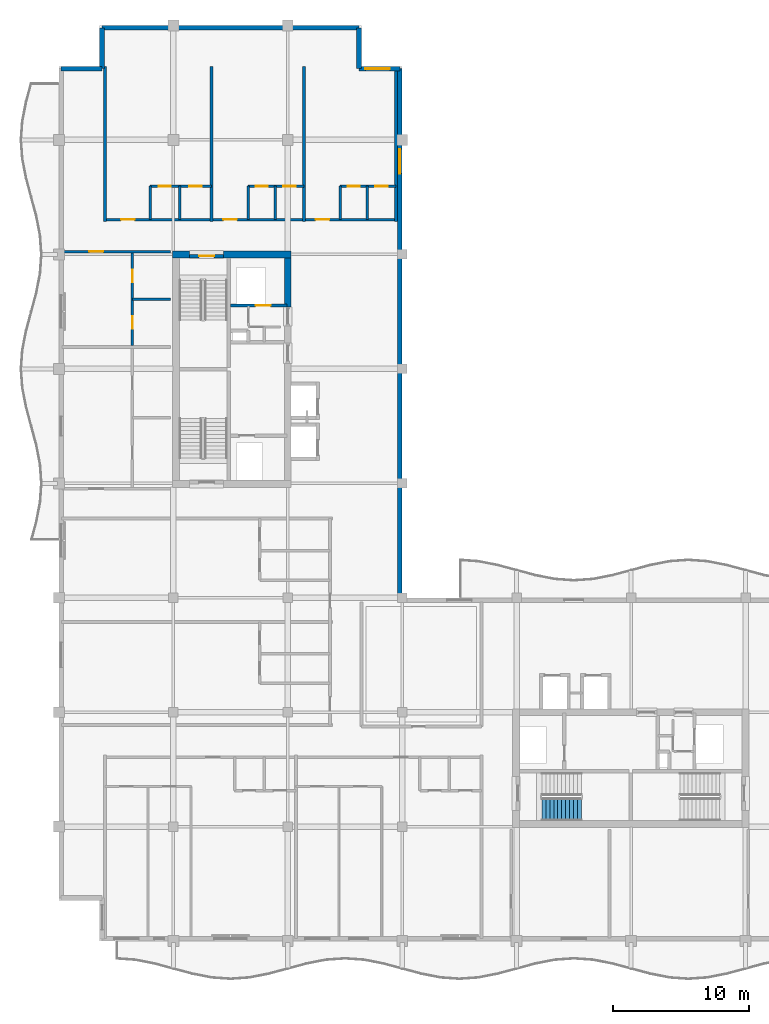
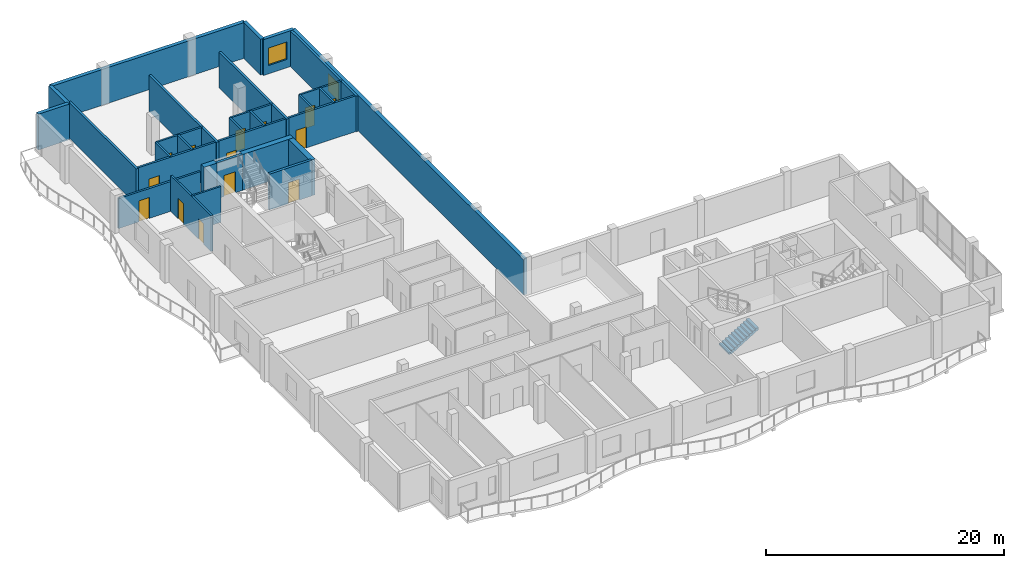
# One storey, part 10 of 15: 28 walls, 14 doors, 2 windows, 1 stair flight, 16 openings, 1 element without a shape of its own.
"""IFC4 building model written with IfcOpenShell, lengths in metres."""

import ifcopenshell
import ifcopenshell.guid

model = None  # the IFC model being written
_history = None  # IfcOwnerHistory: only IFC2X3 demands one
_inside = {}  # id of a spatial element -> (the spatial element, [elements in it])
_under = {}  # id of a project, library or spatial element -> (it, [spatial elements below it])
_declared = {}  # id of a project -> (the project, [libraries it declares])
_typed = {}  # id of a type object -> (the type object, [elements of that type])
_made_of = {}  # id of a material, layer set ... -> (it, [elements and type objects made of it])


def new_model(schema):
    """Start an empty IFC model of exactly this schema.

    Asked for "IFC4X3", IfcOpenShell would pick the latest addendum, in which some entities
    have other attributes; the version numbers below select the first issue.
    IFC2X3 requires an IfcOwnerHistory on every rooted entity: one is made here for all.
    """
    global model, _history
    if schema == "IFC4X3":
        model = ifcopenshell.file(schema_version=(4, 3, 0, 0))
    else:
        model = ifcopenshell.file(schema=schema)
    _inside.clear()
    _under.clear()
    _declared.clear()
    _typed.clear()
    _made_of.clear()
    _history = None
    if model.schema == "IFC2X3":
        org = make("IfcOrganization", Name="unknown")
        user = make(
            "IfcPersonAndOrganization",
            ThePerson=make("IfcPerson", FamilyName="unknown"),
            TheOrganization=org,
        )
        app = make(
            "IfcApplication",
            ApplicationDeveloper=org,
            Version="unknown",
            ApplicationFullName="unknown",
            ApplicationIdentifier="unknown",
        )
        _history = make(
            "IfcOwnerHistory",
            OwningUser=user,
            OwningApplication=app,
            ChangeAction="ADDED",
            CreationDate=0,
        )
    return model


def make(cls, **values):
    """One entity of the class cls with the attributes given. An attribute that is None is left unset."""
    return model.create_entity(
        cls, **{name: value for name, value in values.items() if value is not None}
    )


def rooted(cls, **values):
    """An entity with a GlobalId (a new one), such as an element, a storey or a relation."""
    return make(cls, GlobalId=ifcopenshell.guid.new(), OwnerHistory=_history, **values)


def si_unit(unit_type, name, prefix=None):
    """IfcSIUnit, for example si_unit("LENGTHUNIT", "METRE", prefix="MILLI")."""
    return make("IfcSIUnit", UnitType=unit_type, Prefix=prefix, Name=name)


def assignment(units):
    """IfcUnitAssignment: the units of a project."""
    return None if units is None else make("IfcUnitAssignment", Units=units)


def point(xyz):
    """IfcCartesianPoint."""
    return None if xyz is None else make("IfcCartesianPoint", Coordinates=xyz)


def direction(xyz):
    """IfcDirection."""
    return None if xyz is None else make("IfcDirection", DirectionRatios=xyz)


def frame(location, z_axis=None, x_axis=None):
    """IfcAxis2Placement3D, a coordinate frame: its origin and axes. An axis left out is left unset."""
    return make(
        "IfcAxis2Placement3D",
        Location=point(location),
        Axis=direction(z_axis),
        RefDirection=direction(x_axis),
    )


def frame_2d(location, x_axis=None):
    """IfcAxis2Placement2D, a coordinate frame in the plane: its origin and x axis."""
    return make(
        "IfcAxis2Placement2D", Location=point(location), RefDirection=direction(x_axis)
    )


def origin():
    """The frame at (0, 0, 0) with its axes left unset."""
    return frame((0.0, 0.0, 0.0))


def place(relative_to, where):
    """IfcLocalPlacement: puts the frame where relative to a parent placement (None: the world)."""
    return make(
        "IfcLocalPlacement", PlacementRelTo=relative_to, RelativePlacement=where
    )


def context(
    kind, dimensions, precision=None, world=None, true_north=None, identifier=None
):
    """IfcGeometricRepresentationContext, for example the 3D "Model" context."""
    return make(
        "IfcGeometricRepresentationContext",
        ContextIdentifier=identifier,
        ContextType=kind,
        CoordinateSpaceDimension=dimensions,
        Precision=precision,
        WorldCoordinateSystem=world,
        TrueNorth=true_north,
    )


def subcontext(parent, identifier, kind, view, scale=None):
    """IfcGeometricRepresentationSubContext, for example "Body" below "Model"."""
    return make(
        "IfcGeometricRepresentationSubContext",
        ContextIdentifier=identifier,
        ContextType=kind,
        ParentContext=parent,
        TargetScale=scale,
        TargetView=view,
    )


def project(units=None, contexts=None):
    """IfcProject with its units and contexts."""
    return rooted(
        "IfcProject",
        Name="project",
        RepresentationContexts=contexts,
        UnitsInContext=assignment(units),
    )


def spatial(cls, under=None, at=None, **own):
    """A site, building, storey or space (cls), placed at a placement, below another one or the project."""
    s = rooted(cls, ObjectPlacement=at, **own)
    if under is not None:
        _under.setdefault(under.id(), (under, []))[1].append(s)
    return s


def polyline(points):
    """IfcPolyline through the points."""
    return make("IfcPolyline", Points=[point(p) for p in points])


def profile(cls, at=None, kind="AREA", **sizes):
    """A parametric profile (cls). Its sizes go by their IFC names, for example OverallWidth=200.0."""
    return make(cls, ProfileType=kind, Position=at, **sizes)


def rectangle(**sizes):
    """IfcRectangleProfileDef."""
    return profile("IfcRectangleProfileDef", **sizes)


def outline(outer, holes=None, kind="AREA"):
    """IfcArbitraryClosedProfileDef: a profile drawn as a closed curve; with holes, ...WithVoids."""
    if holes is None:
        return make("IfcArbitraryClosedProfileDef", ProfileType=kind, OuterCurve=outer)
    return make(
        "IfcArbitraryProfileDefWithVoids",
        ProfileType=kind,
        OuterCurve=outer,
        InnerCurves=holes,
    )


def extrude(swept, where, along, depth):
    """IfcExtrudedAreaSolid: the profile swept, set in the frame where, extruded along a direction by depth."""
    return make(
        "IfcExtrudedAreaSolid",
        SweptArea=swept,
        Position=where,
        ExtrudedDirection=direction(along),
        Depth=depth,
    )


def shape(context_of_items, identifier, shape_type, items):
    """IfcShapeRepresentation: the items that make up one representation, for example the "Body"."""
    return make(
        "IfcShapeRepresentation",
        ContextOfItems=context_of_items,
        RepresentationIdentifier=identifier,
        RepresentationType=shape_type,
        Items=items,
    )


def material(Name=None, Category=None):
    """IfcMaterial."""
    return make("IfcMaterial", Name=Name, Category=Category)


def layer(
    of_material, thickness, ventilated=None, Name=None, Category=None, Priority=None
):
    """IfcMaterialLayer: one layer of a wall or slab, of a material (None: an air gap)."""
    return make(
        "IfcMaterialLayer",
        Material=of_material,
        LayerThickness=thickness,
        IsVentilated=ventilated,
        Name=Name,
        Category=Category,
        Priority=Priority,
    )


def layer_set(layers, Name=None):
    """IfcMaterialLayerSet."""
    return make("IfcMaterialLayerSet", MaterialLayers=layers, LayerSetName=Name)


def made_of(thing, what):
    """Note that an element or type object is made of a material, layer set ...; save() writes the relation."""
    if what is not None:
        _made_of.setdefault(what.id(), (what, []))[1].append(thing)
    return thing


def type_object(cls, material=None, **own):
    """A type object (cls), such as IfcWallType, which elements share."""
    return made_of(rooted(cls, **own), material)


def element(
    cls,
    number,
    at=None,
    inside=None,
    cuts=None,
    type_object=None,
    material=None,
    context=None,
    identifier="Body",
    shape_type=None,
    held_by="IfcProductDefinitionShape",
    body=None,
    shapes=None,
    **own,
):
    """One element of the class cls, such as IfcWall. Its Tag is "e" and its number.

    at: its placement. inside: the storey or other place that contains it. cuts: it is an
    opening in that element (IfcRelVoidsElement). A single representation is given by context,
    identifier, shape_type and body (its items); several are given by shapes. held_by: the class
    of the entity that holds the representations. save() writes the other relations.
    """
    e = rooted(cls, Tag="e%d" % number, ObjectPlacement=at, **own)
    if body is not None:
        shapes = [shape(context, identifier, shape_type, body)]
    if shapes is not None:
        e.Representation = make(held_by, Representations=shapes)
    if inside is not None:
        _inside.setdefault(inside.id(), (inside, []))[1].append(e)
    if cuts is not None:
        rooted(
            "IfcRelVoidsElement", RelatingBuildingElement=cuts, RelatedOpeningElement=e
        )
    if type_object is not None:
        _typed.setdefault(type_object.id(), (type_object, []))[1].append(e)
    return made_of(e, material)


def fill(opening, filler):
    """IfcRelFillsElement: the door or window that sits in an opening."""
    return rooted(
        "IfcRelFillsElement",
        RelatingOpeningElement=opening,
        RelatedBuildingElement=filler,
    )


def aggregate(whole, parts):
    """IfcRelAggregates: a whole, such as a stair, and the parts it consists of."""
    return rooted("IfcRelAggregates", RelatingObject=whole, RelatedObjects=parts)


def save(model, path):
    """Write the relations noted so far, then the file.

    IfcRelAggregates (storeys below a building ...), IfcRelContainedInSpatialStructure (elements
    in a storey), IfcRelDefinesByType, IfcRelAssociatesMaterial and IfcRelDeclares: one each for
    every whole, place, type object, material and project.
    """
    for whole, parts in _under.values():
        aggregate(whole, parts)
    for where, things in _inside.values():
        rooted(
            "IfcRelContainedInSpatialStructure",
            RelatedElements=things,
            RelatingStructure=where,
        )
    for kind, things in _typed.values():
        rooted("IfcRelDefinesByType", RelatedObjects=things, RelatingType=kind)
    for what, things in _made_of.values():
        rooted("IfcRelAssociatesMaterial", RelatedObjects=things, RelatingMaterial=what)
    for by, libraries in _declared.values():
        rooted("IfcRelDeclares", RelatingContext=by, RelatedDefinitions=libraries)
    model.write(path)


model = new_model("IFC4")

# Units and contexts
model_context = context("Model", 3, precision=1e-05, world=origin(), true_north=direction((0.0, 1.0)))
body_context = subcontext(model_context, "Body", "Model", "MODEL_VIEW")
ifc_project = project(units=[si_unit("LENGTHUNIT", "METRE"), si_unit("AREAUNIT", "SQUARE_METRE"), si_unit("VOLUMEUNIT", "CUBIC_METRE"), si_unit("PLANEANGLEUNIT", "RADIAN"), si_unit("MASSUNIT", "GRAM", prefix="KILO")], contexts=[model_context])

# Site, building, storey
site_placement = place(None, origin())
site = spatial("IfcSite", under=ifc_project, at=site_placement, CompositionType="ELEMENT")
building_placement = place(site_placement, origin())
building = spatial("IfcBuilding", under=site, at=building_placement, Name="Koriwani Terraces Tower", CompositionType="ELEMENT")
storey_placement = place(building_placement, frame((0.0, 0.0, 324.199951171875)))
storey = spatial("IfcBuildingStorey", under=building, at=storey_placement, Name="L80", CompositionType="ELEMENT", Elevation=324.199951171875)

# Walls
ifc_material_1 = material(Name="Concrete C50/60", Category="concrete")
ifc_layer_1 = layer(ifc_material_1, 0.5, Name="Concrete C50/60")
ifc_layer_set_1 = layer_set([ifc_layer_1], Name="Concrete C50/60")
wall_type_1 = type_object("IfcWallType", Name="WALL_CORE_RC_500", PredefinedType="SHEAR", material=ifc_layer_set_1)
wall_1_placement = place(storey_placement, frame((16.75, 58.800048828125, 0.0), z_axis=(0.0, 0.0, 1.0), x_axis=(1.0, 0.0, 0.0)))
element("IfcWall", 1, at=wall_1_placement, inside=storey, type_object=wall_type_1, Name="L80 West Split Core Shear Wall N1", PredefinedType="SHEAR", context=body_context, shape_type="SweptSolid", body=[
    extrude(rectangle(XDim=1.25, YDim=0.5, at=frame_2d((0.625, 0.0))), origin(), (0.0, 0.0, 1.0), 3.670166015625),
])
wall_2_placement = place(storey_placement, frame((20.5, 58.800048828125, 0.0), z_axis=(0.0, 0.0, 1.0), x_axis=(1.0, 0.0, 0.0)))
element("IfcWall", 2, at=wall_2_placement, inside=storey, type_object=wall_type_1, Name="L80 West Split Core Shear Wall N2", PredefinedType="SHEAR", context=body_context, shape_type="SweptSolid", body=[
    extrude(rectangle(XDim=4.949951171875, YDim=0.5, at=frame_2d((2.47509765625, 0.0))), origin(), (0.0, 0.0, 1.0), 3.670166015625),
])
wall_3_placement = place(storey_placement, frame((25.199951171875, 54.949951171875, 0.0), z_axis=(0.0, 0.0, 1.0), x_axis=(0.0, 1.0, 0.0)))
element("IfcWall", 3, at=wall_3_placement, inside=storey, type_object=wall_type_1, Name="L80 West Split Core Shear Wall E3", PredefinedType="SHEAR", context=body_context, shape_type="SweptSolid", body=[
    extrude(rectangle(XDim=3.60009765625, YDim=0.5, at=frame_2d((1.800048828125, 0.0))), origin(), (0.0, 0.0, 1.0), 3.670166015625),
])

# Wall, opening, door
ifc_material_2 = material(Name="Autoclaved Cellular Concrete Blockwork", Category="masonry")
ifc_layer_2 = layer(ifc_material_2, 0.199951171875, Name="Autoclaved Cellular Concrete Blockwork")
ifc_layer_set_2 = layer_set([ifc_layer_2], Name="Autoclaved Cellular Concrete Blockwork")
wall_type_2 = type_object("IfcWallType", Name="WALL_CORRIDOR_200", PredefinedType="PARTITIONING", material=ifc_layer_set_2)
wall_4_placement = place(storey_placement, frame((8.64990234375, 59.0, 0.0), z_axis=(0.0, 0.0, 1.0), x_axis=(1.0, 0.0, 0.0)))
wall_4 = element("IfcWall", 4, at=wall_4_placement, inside=storey, type_object=wall_type_2, Name="L80 Interior Wall WRZ4-WN-L80", PredefinedType="PARTITIONING", context=body_context, shape_type="SweptSolid", body=[
    extrude(rectangle(XDim=7.9501953125, YDim=0.199951171875, at=frame_2d((3.97509765625, 0.0))), origin(), (0.0, 0.0, 1.0), 3.070068359375),
])
opening_1_placement = place(wall_4_placement, frame((2.0, 0.0, 0.0)))
opening_1 = element("IfcOpeningElement", 5, at=opening_1_placement, cuts=wall_4, Name="Opening D-05", PredefinedType="OPENING", context=body_context, shape_type="SweptSolid", body=[
    extrude(rectangle(XDim=1.0, YDim=2.14990234375, at=frame_2d((0.5, 1.074951171875))), frame((0.0, 0.10986328125, 0.0), z_axis=(0.0, -1.0, 0.0), x_axis=(1.0, 0.0, 0.0)), (0.0, 0.0, 1.0), 0.219970703125),
])
ifc_material_3 = material(Name="Architectural Oak Fire Door", Category="wood")
door_type_1 = type_object("IfcDoorType", Name="DOOR_SUITE_ENTRY_1000X2150", OperationType="NOTDEFINED", PredefinedType="DOOR", material=ifc_material_3)
door_1_placement = place(opening_1_placement, origin())
door_1 = element("IfcDoor", 6, at=door_1_placement, inside=storey, type_object=door_type_1, Name="Apartment 80RW2 Entrance Door", OperationType="SINGLE_SWING_RIGHT", OverallHeight=2.14990234375, OverallWidth=1.0, PredefinedType="DOOR", context=body_context, shape_type="SweptSolid", body=[
    extrude(rectangle(XDim=1.0, YDim=2.14990234375, at=frame_2d((0.5, 1.074951171875))), frame((0.0, 0.02490234375, 0.0), z_axis=(0.0, -1.0, 0.0), x_axis=(1.0, 0.0, 0.0)), (0.0, 0.0, 1.0), 0.050048828125),
])
fill(opening_1, door_1)

# Wall, openings, doors
wall_5_placement = place(storey_placement, frame((11.800048828125, 61.35009765625, 0.0), z_axis=(0.0, 0.0, 1.0), x_axis=(1.0, 0.0, 0.0)))
wall_5 = element("IfcWall", 7, at=wall_5_placement, inside=storey, type_object=wall_type_2, Name="L80 Interior Wall WRCOR-L80-NTS-0", PredefinedType="PARTITIONING", context=body_context, shape_type="SweptSolid", body=[
    extrude(rectangle(XDim=21.349853515625, YDim=0.199951171875, at=frame_2d((10.6748046875, 0.0))), origin(), (0.0, 0.0, 1.0), 3.670166015625),
])
opening_2_placement = place(wall_5_placement, frame((1.169921875, 0.0, 0.0)))
opening_2 = element("IfcOpeningElement", 8, at=opening_2_placement, cuts=wall_5, Name="Opening D-05", PredefinedType="OPENING", context=body_context, shape_type="SweptSolid", body=[
    extrude(rectangle(XDim=1.0, YDim=2.14990234375, at=frame_2d((0.5, 1.074951171875))), frame((0.0, 0.10986328125, 0.0), z_axis=(0.0, -1.0, 0.0), x_axis=(1.0, 0.0, 0.0)), (0.0, 0.0, 1.0), 0.219970703125),
])
opening_3_placement = place(wall_5_placement, frame((8.669921875, 0.0, 0.0)))
opening_3 = element("IfcOpeningElement", 9, at=opening_3_placement, cuts=wall_5, Name="Opening D-05", PredefinedType="OPENING", context=body_context, shape_type="SweptSolid", body=[
    extrude(rectangle(XDim=1.0, YDim=2.14990234375, at=frame_2d((0.5, 1.074951171875))), frame((0.0, 0.10986328125, 0.0), z_axis=(0.0, -1.0, 0.0), x_axis=(1.0, 0.0, 0.0)), (0.0, 0.0, 1.0), 0.219970703125),
])
opening_4_placement = place(wall_5_placement, frame((15.445068359375, 0.0, 0.0)))
opening_4 = element("IfcOpeningElement", 10, at=opening_4_placement, cuts=wall_5, Name="Opening D-05", PredefinedType="OPENING", context=body_context, shape_type="SweptSolid", body=[
    extrude(rectangle(XDim=1.0, YDim=2.14990234375, at=frame_2d((0.5, 1.074951171875))), frame((0.0, 0.10986328125, 0.0), z_axis=(0.0, -1.0, 0.0), x_axis=(1.0, 0.0, 0.0)), (0.0, 0.0, 1.0), 0.219970703125),
])
door_2_placement = place(opening_2_placement, origin())
door_2 = element("IfcDoor", 11, at=door_2_placement, inside=storey, type_object=door_type_1, Name="Apartment 80NTS1 Entrance Door", OperationType="SINGLE_SWING_LEFT", OverallHeight=2.14990234375, OverallWidth=1.0, PredefinedType="DOOR", context=body_context, shape_type="SweptSolid", body=[
    extrude(rectangle(XDim=1.0, YDim=2.14990234375, at=frame_2d((0.5, 1.074951171875))), frame((0.0, 0.02490234375, 0.0), z_axis=(0.0, -1.0, 0.0), x_axis=(1.0, 0.0, 0.0)), (0.0, 0.0, 1.0), 0.050048828125),
])
fill(opening_2, door_2)
door_3_placement = place(opening_3_placement, origin())
door_3 = element("IfcDoor", 12, at=door_3_placement, inside=storey, type_object=door_type_1, Name="Apartment 80NTS2 Entrance Door", OperationType="SINGLE_SWING_RIGHT", OverallHeight=2.14990234375, OverallWidth=1.0, PredefinedType="DOOR", context=body_context, shape_type="SweptSolid", body=[
    extrude(rectangle(XDim=1.0, YDim=2.14990234375, at=frame_2d((0.5, 1.074951171875))), frame((0.0, 0.02490234375, 0.0), z_axis=(0.0, -1.0, 0.0), x_axis=(1.0, 0.0, 0.0)), (0.0, 0.0, 1.0), 0.050048828125),
])
fill(opening_3, door_3)
door_4_placement = place(opening_4_placement, origin())
door_4 = element("IfcDoor", 13, at=door_4_placement, inside=storey, type_object=door_type_1, Name="Apartment 80NTS3 Entrance Door", OperationType="SINGLE_SWING_LEFT", OverallHeight=2.14990234375, OverallWidth=1.0, PredefinedType="DOOR", context=body_context, shape_type="SweptSolid", body=[
    extrude(rectangle(XDim=1.0, YDim=2.14990234375, at=frame_2d((0.5, 1.074951171875))), frame((0.0, 0.02490234375, 0.0), z_axis=(0.0, -1.0, 0.0), x_axis=(1.0, 0.0, 0.0)), (0.0, 0.0, 1.0), 0.050048828125),
])
fill(opening_4, door_4)

# Walls
ifc_layer_3 = layer(ifc_material_2, 0.219970703125, Name="Autoclaved Cellular Concrete Blockwork")
ifc_layer_set_3 = layer_set([ifc_layer_3], Name="Autoclaved Cellular Concrete Blockwork")
wall_type_3 = type_object("IfcWallType", Name="WALL_DEMISING_220", PredefinedType="PARTITIONING", material=ifc_layer_set_3)
for number, where, z_axis, x_axis, name in (
    (14, (11.800048828125, 61.199951171875, 0.0), (0.0, 0.0, 1.0), (0.0, 1.0, 0.0), "L80 Interior Wall WRDEM-L80-NTS-0"),
    (15, (19.60009765625, 61.199951171875, 0.0), (0.0, 0.0, 1.0), (0.0, 1.0, 0.0), "L80 Interior Wall WRDEM-L80-NTS-1"),
    (16, (26.39990234375, 61.199951171875, 0.0), (0.0, 0.0, 1.0), (0.0, 1.0, 0.0), "L80 Interior Wall WRDEM-L80-NTS-2"),
    (17, (33.14990234375, 61.199951171875, 0.0), (0.0, 0.0, 1.0), (0.0, 1.0, 0.0), "L80 Interior Wall WRDEME-L80-NTS"),
):
    element("IfcWall", number, at=place(storey_placement, frame(where, z_axis=z_axis, x_axis=x_axis)), inside=storey, type_object=wall_type_3, Name=name, PredefinedType="PARTITIONING", context=body_context, shape_type="SweptSolid", body=[
        extrude(rectangle(XDim=11.380126953125, YDim=0.219970703125, at=frame_2d((5.68994140625, 0.0))), origin(), (0.0, 0.0, 1.0), 3.670166015625),
    ])
ifc_layer_4 = layer(ifc_material_1, 0.35009765625, Name="Concrete C50/60")
ifc_layer_set_4 = layer_set([ifc_layer_4], Name="Concrete C50/60")
wall_type_4 = type_object("IfcWallType", Name="WALL_EXT_BRUTALIST_350", PredefinedType="STANDARD", material=ifc_layer_set_4)
for number, where, z_axis, x_axis, name in (
    (18, (8.574951171875, 72.425048828125, 0.0), (0.0, 0.0, 1.0), (1.0, 0.0, 0.0), "L80 Fair-Faced Brutalist Exterior Wall (N3)"),
    (19, (11.574951171875, 72.425048828125, 0.0), (0.0, 0.0, 1.0), (0.0, 1.0, 0.0), "L80 Fair-Faced Brutalist Exterior Wall (N4)"),
):
    element("IfcWall", number, at=place(storey_placement, frame(where, z_axis=z_axis, x_axis=x_axis)), inside=storey, type_object=wall_type_4, Name=name, PredefinedType="STANDARD", context=body_context, shape_type="SweptSolid", body=[
        extrude(rectangle(XDim=3.0, YDim=0.35009765625, at=frame_2d((1.5, 0.0))), origin(), (0.0, 0.0, 1.0), 3.670166015625),
    ])
wall_6_placement = place(storey_placement, frame((11.574951171875, 75.425048828125, 0.0), z_axis=(0.0, 0.0, 1.0), x_axis=(1.0, 0.0, 0.0)))
element("IfcWall", 20, at=wall_6_placement, inside=storey, type_object=wall_type_4, Name="L80 Fair-Faced Brutalist Exterior Wall (N_TIP)", PredefinedType="STANDARD", context=body_context, shape_type="SweptSolid", body=[
    extrude(rectangle(XDim=18.85009765625, YDim=0.35009765625, at=frame_2d((9.425048828125, 0.0))), origin(), (0.0, 0.0, 1.0), 3.670166015625),
])
wall_7_placement = place(storey_placement, frame((30.425048828125, 75.425048828125, 0.0), z_axis=(0.0, 0.0, 1.0), x_axis=(0.0, -1.0, 0.0)))
element("IfcWall", 21, at=wall_7_placement, inside=storey, type_object=wall_type_4, Name="L80 Fair-Faced Brutalist Exterior Wall (N6)", PredefinedType="STANDARD", context=body_context, shape_type="SweptSolid", body=[
    extrude(rectangle(XDim=3.0, YDim=0.35009765625, at=frame_2d((1.5, 0.0))), origin(), (0.0, 0.0, 1.0), 3.670166015625),
])

# Wall, opening, window
wall_8_placement = place(storey_placement, frame((30.425048828125, 72.425048828125, 0.0), z_axis=(0.0, 0.0, 1.0), x_axis=(1.0, 0.0, 0.0)))
wall_8 = element("IfcWall", 22, at=wall_8_placement, inside=storey, type_object=wall_type_4, Name="L80 Fair-Faced Brutalist Exterior Wall (N7)", PredefinedType="STANDARD", context=body_context, shape_type="SweptSolid", body=[
    extrude(rectangle(XDim=3.0, YDim=0.35009765625, at=frame_2d((1.5, 0.0))), origin(), (0.0, 0.0, 1.0), 3.670166015625),
])
opening_5_placement = place(wall_8_placement, frame((0.472412109375, 0.0, 0.85009765625)))
opening_5 = element("IfcOpeningElement", 23, at=opening_5_placement, cuts=wall_8, Name="Opening W-04", PredefinedType="OPENING", context=body_context, shape_type="SweptSolid", body=[
    extrude(rectangle(XDim=1.800048828125, YDim=1.800048828125, at=frame_2d((0.89990234375, 0.89990234375))), frame((0.0, 0.18505859375, 0.0), z_axis=(0.0, -1.0, 0.0), x_axis=(1.0, 0.0, 0.0)), (0.0, 0.0, 1.0), 0.3701171875),
])
ifc_material_4 = material(Name="Tempered Laminated Low-E Glass", Category="glass")
window_type = type_object("IfcWindowType", Name="WIN_RES_BED_1800X1800", PartitioningType="DOUBLE_PANEL_VERTICAL", PredefinedType="WINDOW", material=ifc_material_4)
window_1_placement = place(opening_5_placement, origin())
window_1 = element("IfcWindow", 24, at=window_1_placement, inside=storey, type_object=window_type, Name="L80 Exterior Window (N7-R55)", OverallHeight=1.800048828125, OverallWidth=1.800048828125, PartitioningType="SINGLE_PANEL", PredefinedType="WINDOW", context=body_context, shape_type="SweptSolid", body=[
    extrude(rectangle(XDim=1.800048828125, YDim=1.800048828125, at=frame_2d((0.89990234375, 0.89990234375))), frame((0.0, 0.030029296875, 0.0), z_axis=(0.0, -1.0, 0.0), x_axis=(1.0, 0.0, 0.0)), (0.0, 0.0, 1.0), 0.06005859375),
])
fill(opening_5, window_1)

wall_9_placement = place(storey_placement, frame((33.425048828125, 72.425048828125, 0.0), z_axis=(0.0, 0.0, 1.0), x_axis=(0.0, -1.0, 0.0)))
wall_9 = element("IfcWall", 25, at=wall_9_placement, inside=storey, type_object=wall_type_4, Name="L80 Fair-Faced Brutalist Exterior Wall (NW_IN)", PredefinedType="STANDARD", context=body_context, shape_type="SweptSolid", body=[
    extrude(rectangle(XDim=39.0, YDim=0.35009765625, at=frame_2d((19.5, 0.0))), origin(), (0.0, 0.0, 1.0), 3.670166015625),
])
opening_6_placement = place(wall_9_placement, frame((5.89990234375, 0.0, 0.85009765625)))
opening_6 = element("IfcOpeningElement", 26, at=opening_6_placement, cuts=wall_9, Name="Opening W-04", PredefinedType="OPENING", context=body_context, shape_type="SweptSolid", body=[
    extrude(rectangle(XDim=1.800048828125, YDim=1.800048828125, at=frame_2d((0.89990234375, 0.89990234375))), frame((0.0, 0.18505859375, 0.0), z_axis=(0.0, -1.0, 0.0), x_axis=(1.0, 0.0, 0.0)), (0.0, 0.0, 1.0), 0.3701171875),
])
window_2_placement = place(opening_6_placement, origin())
window_2 = element("IfcWindow", 27, at=window_2_placement, inside=storey, type_object=window_type, Name="L80 Exterior Window (NW_IN-R55)", OverallHeight=1.800048828125, OverallWidth=1.800048828125, PartitioningType="SINGLE_PANEL", PredefinedType="WINDOW", context=body_context, shape_type="SweptSolid", body=[
    extrude(rectangle(XDim=1.800048828125, YDim=1.800048828125, at=frame_2d((0.89990234375, 0.89990234375))), frame((0.0, 0.030029296875, 0.0), z_axis=(0.0, -1.0, 0.0), x_axis=(1.0, 0.0, 0.0)), (0.0, 0.0, 1.0), 0.06005859375),
])
fill(opening_6, window_2)

# Wall, openings, doors
ifc_material_5 = material(Name="Fire-Rated Acoustic Gypsum Partition", Category="masonry")
ifc_layer_5 = layer(ifc_material_5, 0.179931640625, Name="Fire-Rated Acoustic Gypsum Partition")
ifc_layer_set_5 = layer_set([ifc_layer_5], Name="Fire-Rated Acoustic Gypsum Partition")
wall_type_5 = type_object("IfcWallType", Name="WALL_PLUMBING_180", PredefinedType="PLUMBINGWALL", material=ifc_layer_set_5)
wall_10_placement = place(storey_placement, frame((13.800048828125, 52.10009765625, 0.0), z_axis=(0.0, 0.0, 1.0), x_axis=(0.0, 1.0, 0.0)))
wall_10 = element("IfcWall", 28, at=wall_10_placement, inside=storey, type_object=wall_type_5, Name="L80 Interior Wall WRZ4-RW2-PB-L80", PredefinedType="PLUMBINGWALL", context=body_context, shape_type="SweptSolid", body=[
    extrude(rectangle(XDim=6.7998046875, YDim=0.179931640625, at=frame_2d((3.39990234375, 0.0))), origin(), (0.0, 0.0, 1.0), 3.670166015625),
])
opening_7_placement = place(wall_10_placement, frame((1.25, 0.0, 0.0)))
opening_7 = element("IfcOpeningElement", 29, at=opening_7_placement, cuts=wall_10, Name="Opening D-07", PredefinedType="OPENING", context=body_context, shape_type="SweptSolid", body=[
    extrude(rectangle(XDim=0.89990234375, YDim=2.10009765625, at=frame_2d((0.449951171875, 1.050048828125))), frame((0.0, 0.10009765625, 0.0), z_axis=(0.0, -1.0, 0.0), x_axis=(1.0, 0.0, 0.0)), (0.0, 0.0, 1.0), 0.199951171875),
])
opening_8_placement = place(wall_10_placement, frame((4.639892578125, 0.0, 0.0)))
opening_8 = element("IfcOpeningElement", 30, at=opening_8_placement, cuts=wall_10, Name="Opening D-06", PredefinedType="OPENING", context=body_context, shape_type="SweptSolid", body=[
    extrude(rectangle(XDim=0.919921875, YDim=2.10009765625, at=frame_2d((0.4599609375, 1.050048828125))), frame((0.0, 0.10009765625, 0.0), z_axis=(0.0, -1.0, 0.0), x_axis=(1.0, 0.0, 0.0)), (0.0, 0.0, 1.0), 0.199951171875),
])
door_type_2 = type_object("IfcDoorType", Name="DOOR_BATH_INT_900X2100", OperationType="NOTDEFINED", PredefinedType="DOOR", material=ifc_material_3)
door_5_placement = place(opening_7_placement, origin())
door_5 = element("IfcDoor", 31, at=door_5_placement, inside=storey, type_object=door_type_2, Name="Apartment 80RW2 Bathroom Door", OperationType="SINGLE_SWING_LEFT", OverallHeight=2.10009765625, OverallWidth=0.89990234375, PredefinedType="DOOR", context=body_context, shape_type="SweptSolid", body=[
    extrude(rectangle(XDim=0.89990234375, YDim=2.10009765625, at=frame_2d((0.449951171875, 1.050048828125))), frame((0.0, 0.02490234375, 0.0), z_axis=(0.0, -1.0, 0.0), x_axis=(1.0, 0.0, 0.0)), (0.0, 0.0, 1.0), 0.050048828125),
])
fill(opening_7, door_5)
door_type_3 = type_object("IfcDoorType", Name="DOOR_ROOM_INT_920X2100", OperationType="NOTDEFINED", PredefinedType="DOOR", material=ifc_material_3)
door_6_placement = place(opening_8_placement, origin())
door_6 = element("IfcDoor", 32, at=door_6_placement, inside=storey, type_object=door_type_3, Name="Apartment 80RW2 Kitchen Door", OperationType="SINGLE_SWING_RIGHT", OverallHeight=2.10009765625, OverallWidth=0.919921875, PredefinedType="DOOR", context=body_context, shape_type="SweptSolid", body=[
    extrude(rectangle(XDim=0.919921875, YDim=2.10009765625, at=frame_2d((0.4599609375, 1.050048828125))), frame((0.0, 0.02490234375, 0.0), z_axis=(0.0, -1.0, 0.0), x_axis=(1.0, 0.0, 0.0)), (0.0, 0.0, 1.0), 0.050048828125),
])
fill(opening_8, door_6)

# Wall
wall_11_placement = place(storey_placement, frame((13.800048828125, 55.5, 0.0), z_axis=(0.0, 0.0, 1.0), x_axis=(1.0, 0.0, 0.0)))
element("IfcWall", 33, at=wall_11_placement, inside=storey, type_object=wall_type_5, Name="L80 Interior Wall WRZ4-RW2-P2-L80", PredefinedType="PLUMBINGWALL", context=body_context, shape_type="SweptSolid", body=[
    extrude(rectangle(XDim=2.800048828125, YDim=0.179931640625, at=frame_2d((1.39990234375, 0.0))), origin(), (0.0, 0.0, 1.0), 3.670166015625),
])

# Wall, openings, doors
wall_12_placement = place(storey_placement, frame((15.10009765625, 63.800048828125, 0.0), z_axis=(0.0, 0.0, 1.0), x_axis=(1.0, 0.0, 0.0)))
wall_12 = element("IfcWall", 34, at=wall_12_placement, inside=storey, type_object=wall_type_5, Name="L80 Interior Wall WRSVC-L80-NTS-0", PredefinedType="PLUMBINGWALL", context=body_context, shape_type="SweptSolid", body=[
    extrude(rectangle(XDim=4.5, YDim=0.179931640625, at=frame_2d((2.25, 0.0))), origin(), (0.0, 0.0, 1.0), 3.670166015625),
])
opening_9_placement = place(wall_12_placement, frame((0.6298828125, 0.0, 0.0)))
opening_9 = element("IfcOpeningElement", 35, at=opening_9_placement, cuts=wall_12, Name="Opening D-07", PredefinedType="OPENING", context=body_context, shape_type="SweptSolid", body=[
    extrude(rectangle(XDim=0.89990234375, YDim=2.10009765625, at=frame_2d((0.449951171875, 1.050048828125))), frame((0.0, 0.10009765625, 0.0), z_axis=(0.0, -1.0, 0.0), x_axis=(1.0, 0.0, 0.0)), (0.0, 0.0, 1.0), 0.199951171875),
])
opening_10_placement = place(wall_12_placement, frame((2.8701171875, 0.0, 0.0)))
opening_10 = element("IfcOpeningElement", 36, at=opening_10_placement, cuts=wall_12, Name="Opening D-06", PredefinedType="OPENING", context=body_context, shape_type="SweptSolid", body=[
    extrude(rectangle(XDim=0.919921875, YDim=2.10009765625, at=frame_2d((0.4599609375, 1.050048828125))), frame((0.0, 0.10009765625, 0.0), z_axis=(0.0, -1.0, 0.0), x_axis=(1.0, 0.0, 0.0)), (0.0, 0.0, 1.0), 0.199951171875),
])
door_7_placement = place(opening_9_placement, origin())
door_7 = element("IfcDoor", 37, at=door_7_placement, inside=storey, type_object=door_type_2, Name="Apartment 80NTS1 Bathroom Door", OperationType="SINGLE_SWING_RIGHT", OverallHeight=2.10009765625, OverallWidth=0.89990234375, PredefinedType="DOOR", context=body_context, shape_type="SweptSolid", body=[
    extrude(rectangle(XDim=0.89990234375, YDim=2.10009765625, at=frame_2d((0.449951171875, 1.050048828125))), frame((0.0, 0.02490234375, 0.0), z_axis=(0.0, -1.0, 0.0), x_axis=(1.0, 0.0, 0.0)), (0.0, 0.0, 1.0), 0.050048828125),
])
fill(opening_9, door_7)
door_8_placement = place(opening_10_placement, origin())
door_8 = element("IfcDoor", 38, at=door_8_placement, inside=storey, type_object=door_type_3, Name="Apartment 80NTS1 Kitchen Door", OperationType="SINGLE_SWING_LEFT", OverallHeight=2.10009765625, OverallWidth=0.919921875, PredefinedType="DOOR", context=body_context, shape_type="SweptSolid", body=[
    extrude(rectangle(XDim=0.919921875, YDim=2.10009765625, at=frame_2d((0.4599609375, 1.050048828125))), frame((0.0, 0.02490234375, 0.0), z_axis=(0.0, -1.0, 0.0), x_axis=(1.0, 0.0, 0.0)), (0.0, 0.0, 1.0), 0.050048828125),
])
fill(opening_10, door_8)

# Walls
for number, where, z_axis, x_axis, name in (
    (39, (15.10009765625, 61.35009765625, 0.0), (0.0, 0.0, 1.0), (0.0, 1.0, 0.0), "L80 Interior Wall WRSVCS-L80-NTS-0"),
    (40, (17.260009765625, 61.35009765625, 0.0), (0.0, 0.0, 1.0), (0.0, 1.0, 0.0), "L80 Interior Wall WRSVCM-L80-NTS-0"),
):
    element("IfcWall", number, at=place(storey_placement, frame(where, z_axis=z_axis, x_axis=x_axis)), inside=storey, type_object=wall_type_5, Name=name, PredefinedType="PLUMBINGWALL", context=body_context, shape_type="SweptSolid", body=[
        extrude(rectangle(XDim=2.449951171875, YDim=0.179931640625, at=frame_2d((1.22509765625, 0.0))), origin(), (0.0, 0.0, 1.0), 3.670166015625),
    ])

# Wall, openings, doors
wall_13_placement = place(storey_placement, frame((22.300048828125, 63.800048828125, 0.0), z_axis=(0.0, 0.0, 1.0), x_axis=(1.0, 0.0, 0.0)))
wall_13 = element("IfcWall", 41, at=wall_13_placement, inside=storey, type_object=wall_type_5, Name="L80 Interior Wall WRSVC-L80-NTS-1", PredefinedType="PLUMBINGWALL", context=body_context, shape_type="SweptSolid", body=[
    extrude(rectangle(XDim=4.099853515625, YDim=0.179931640625, at=frame_2d((2.0498046875, 0.0))), origin(), (0.0, 0.0, 1.0), 3.670166015625),
])
opening_11_placement = place(wall_13_placement, frame((0.533935546875, 0.0, 0.0)))
opening_11 = element("IfcOpeningElement", 42, at=opening_11_placement, cuts=wall_13, Name="Opening D-07", PredefinedType="OPENING", context=body_context, shape_type="SweptSolid", body=[
    extrude(rectangle(XDim=0.89990234375, YDim=2.10009765625, at=frame_2d((0.449951171875, 1.050048828125))), frame((0.0, 0.10009765625, 0.0), z_axis=(0.0, -1.0, 0.0), x_axis=(1.0, 0.0, 0.0)), (0.0, 0.0, 1.0), 0.199951171875),
])
opening_12_placement = place(wall_13_placement, frame((2.573974609375, 0.0, 0.0)))
opening_12 = element("IfcOpeningElement", 43, at=opening_12_placement, cuts=wall_13, Name="Opening D-06", PredefinedType="OPENING", context=body_context, shape_type="SweptSolid", body=[
    extrude(rectangle(XDim=0.919921875, YDim=2.10009765625, at=frame_2d((0.4599609375, 1.050048828125))), frame((0.0, 0.10009765625, 0.0), z_axis=(0.0, -1.0, 0.0), x_axis=(1.0, 0.0, 0.0)), (0.0, 0.0, 1.0), 0.199951171875),
])
door_9_placement = place(opening_11_placement, origin())
door_9 = element("IfcDoor", 44, at=door_9_placement, inside=storey, type_object=door_type_2, Name="Apartment 80NTS2 Bathroom Door", OperationType="SINGLE_SWING_LEFT", OverallHeight=2.10009765625, OverallWidth=0.89990234375, PredefinedType="DOOR", context=body_context, shape_type="SweptSolid", body=[
    extrude(rectangle(XDim=0.89990234375, YDim=2.10009765625, at=frame_2d((0.449951171875, 1.050048828125))), frame((0.0, 0.02490234375, 0.0), z_axis=(0.0, -1.0, 0.0), x_axis=(1.0, 0.0, 0.0)), (0.0, 0.0, 1.0), 0.050048828125),
])
fill(opening_11, door_9)
door_10_placement = place(opening_12_placement, origin())
door_10 = element("IfcDoor", 45, at=door_10_placement, inside=storey, type_object=door_type_3, Name="Apartment 80NTS2 Kitchen Door", OperationType="SINGLE_SWING_RIGHT", OverallHeight=2.10009765625, OverallWidth=0.919921875, PredefinedType="DOOR", context=body_context, shape_type="SweptSolid", body=[
    extrude(rectangle(XDim=0.919921875, YDim=2.10009765625, at=frame_2d((0.4599609375, 1.050048828125))), frame((0.0, 0.02490234375, 0.0), z_axis=(0.0, -1.0, 0.0), x_axis=(1.0, 0.0, 0.0)), (0.0, 0.0, 1.0), 0.050048828125),
])
fill(opening_12, door_10)

# Walls
for number, where, z_axis, x_axis, name in (
    (46, (22.300048828125, 61.35009765625, 0.0), (0.0, 0.0, 1.0), (0.0, 1.0, 0.0), "L80 Interior Wall WRSVCS-L80-NTS-1"),
    (47, (24.26806640625, 61.35009765625, 0.0), (0.0, 0.0, 1.0), (0.0, 1.0, 0.0), "L80 Interior Wall WRSVCM-L80-NTS-1"),
):
    element("IfcWall", number, at=place(storey_placement, frame(where, z_axis=z_axis, x_axis=x_axis)), inside=storey, type_object=wall_type_5, Name=name, PredefinedType="PLUMBINGWALL", context=body_context, shape_type="SweptSolid", body=[
        extrude(rectangle(XDim=2.449951171875, YDim=0.179931640625, at=frame_2d((1.22509765625, 0.0))), origin(), (0.0, 0.0, 1.0), 3.670166015625),
    ])

# Wall, openings, doors
wall_14_placement = place(storey_placement, frame((29.050048828125, 63.800048828125, 0.0), z_axis=(0.0, 0.0, 1.0), x_axis=(1.0, 0.0, 0.0)))
wall_14 = element("IfcWall", 48, at=wall_14_placement, inside=storey, type_object=wall_type_5, Name="L80 Interior Wall WRSVC-L80-NTS-2", PredefinedType="PLUMBINGWALL", context=body_context, shape_type="SweptSolid", body=[
    extrude(rectangle(XDim=4.099853515625, YDim=0.179931640625, at=frame_2d((2.0498046875, 0.0))), origin(), (0.0, 0.0, 1.0), 3.670166015625),
])
opening_13_placement = place(wall_14_placement, frame((0.533935546875, 0.0, 0.0)))
opening_13 = element("IfcOpeningElement", 49, at=opening_13_placement, cuts=wall_14, Name="Opening D-07", PredefinedType="OPENING", context=body_context, shape_type="SweptSolid", body=[
    extrude(rectangle(XDim=0.89990234375, YDim=2.10009765625, at=frame_2d((0.449951171875, 1.050048828125))), frame((0.0, 0.10009765625, 0.0), z_axis=(0.0, -1.0, 0.0), x_axis=(1.0, 0.0, 0.0)), (0.0, 0.0, 1.0), 0.199951171875),
])
opening_14_placement = place(wall_14_placement, frame((2.573974609375, 0.0, 0.0)))
opening_14 = element("IfcOpeningElement", 50, at=opening_14_placement, cuts=wall_14, Name="Opening D-06", PredefinedType="OPENING", context=body_context, shape_type="SweptSolid", body=[
    extrude(rectangle(XDim=0.919921875, YDim=2.10009765625, at=frame_2d((0.4599609375, 1.050048828125))), frame((0.0, 0.10009765625, 0.0), z_axis=(0.0, -1.0, 0.0), x_axis=(1.0, 0.0, 0.0)), (0.0, 0.0, 1.0), 0.199951171875),
])
door_11_placement = place(opening_13_placement, origin())
door_11 = element("IfcDoor", 51, at=door_11_placement, inside=storey, type_object=door_type_2, Name="Apartment 80NTS3 Bathroom Door", OperationType="SINGLE_SWING_RIGHT", OverallHeight=2.10009765625, OverallWidth=0.89990234375, PredefinedType="DOOR", context=body_context, shape_type="SweptSolid", body=[
    extrude(rectangle(XDim=0.89990234375, YDim=2.10009765625, at=frame_2d((0.449951171875, 1.050048828125))), frame((0.0, 0.02490234375, 0.0), z_axis=(0.0, -1.0, 0.0), x_axis=(1.0, 0.0, 0.0)), (0.0, 0.0, 1.0), 0.050048828125),
])
fill(opening_13, door_11)
door_12_placement = place(opening_14_placement, origin())
door_12 = element("IfcDoor", 52, at=door_12_placement, inside=storey, type_object=door_type_3, Name="Apartment 80NTS3 Kitchen Door", OperationType="SINGLE_SWING_LEFT", OverallHeight=2.10009765625, OverallWidth=0.919921875, PredefinedType="DOOR", context=body_context, shape_type="SweptSolid", body=[
    extrude(rectangle(XDim=0.919921875, YDim=2.10009765625, at=frame_2d((0.4599609375, 1.050048828125))), frame((0.0, 0.02490234375, 0.0), z_axis=(0.0, -1.0, 0.0), x_axis=(1.0, 0.0, 0.0)), (0.0, 0.0, 1.0), 0.050048828125),
])
fill(opening_14, door_12)

# Walls
for number, where, z_axis, x_axis, name in (
    (53, (29.050048828125, 61.35009765625, 0.0), (0.0, 0.0, 1.0), (0.0, 1.0, 0.0), "L80 Interior Wall WRSVCS-L80-NTS-2"),
    (54, (31.01806640625, 61.35009765625, 0.0), (0.0, 0.0, 1.0), (0.0, 1.0, 0.0), "L80 Interior Wall WRSVCM-L80-NTS-2"),
):
    element("IfcWall", number, at=place(storey_placement, frame(where, z_axis=z_axis, x_axis=x_axis)), inside=storey, type_object=wall_type_5, Name=name, PredefinedType="PLUMBINGWALL", context=body_context, shape_type="SweptSolid", body=[
        extrude(rectangle(XDim=2.449951171875, YDim=0.179931640625, at=frame_2d((1.22509765625, 0.0))), origin(), (0.0, 0.0, 1.0), 3.670166015625),
    ])

# Wall, opening, door
ifc_material_6 = material(Name="Concrete C40/50", Category="concrete")
ifc_layer_6 = layer(ifc_material_6, 0.25, Name="Concrete C40/50")
ifc_layer_set_6 = layer_set([ifc_layer_6], Name="Concrete C40/50")
wall_type_6 = type_object("IfcWallType", Name="WALL_SHAFT_RATED_250", PredefinedType="SOLIDWALL", material=ifc_layer_set_6)
wall_15_placement = place(storey_placement, frame((18.0, 58.675048828125, 0.0), z_axis=(0.0, 0.0, 1.0), x_axis=(1.0, 0.0, 0.0)))
wall_15 = element("IfcWall", 55, at=wall_15_placement, inside=storey, type_object=wall_type_6, Name="L80 Interior Wall WIN-CW-L80-STN", PredefinedType="SOLIDWALL", context=body_context, shape_type="SweptSolid", body=[
    extrude(rectangle(XDim=2.5, YDim=0.25, at=frame_2d((1.25, 0.0))), origin(), (0.0, 0.0, 1.0), 3.670166015625),
])
opening_15_placement = place(wall_15_placement, frame((0.699951171875, 0.0, 0.0)))
opening_15 = element("IfcOpeningElement", 56, at=opening_15_placement, cuts=wall_15, Name="Opening D-03", PredefinedType="OPENING", context=body_context, shape_type="SweptSolid", body=[
    extrude(rectangle(XDim=1.10009765625, YDim=2.14990234375, at=frame_2d((0.550048828125, 1.074951171875))), frame((0.0, 0.135009765625, 0.0), z_axis=(0.0, -1.0, 0.0), x_axis=(1.0, 0.0, 0.0)), (0.0, 0.0, 1.0), 0.27001953125),
])
ifc_material_7 = material(Name="Steel ASTM A572 Grade 50", Category="steel")
door_type_4 = type_object("IfcDoorType", Name="DOOR_STAIR_FIRE_1100X2150", OperationType="NOTDEFINED", PredefinedType="DOOR", material=ifc_material_7)
door_13_placement = place(opening_15_placement, origin())
door_13 = element("IfcDoor", 57, at=door_13_placement, inside=storey, type_object=door_type_4, Name="L80 Exit Stair ST-W2 Door", OperationType="SINGLE_SWING_LEFT", OverallHeight=2.14990234375, OverallWidth=1.10009765625, PredefinedType="DOOR", context=body_context, shape_type="SweptSolid", body=[
    extrude(rectangle(XDim=1.10009765625, YDim=2.14990234375, at=frame_2d((0.550048828125, 1.074951171875))), frame((0.0, 0.02490234375, 0.0), z_axis=(0.0, -1.0, 0.0), x_axis=(1.0, 0.0, 0.0)), (0.0, 0.0, 1.0), 0.050048828125),
])
fill(opening_15, door_13)

wall_16_placement = place(storey_placement, frame((21.0, 55.050048828125, 0.0), z_axis=(0.0, 0.0, 1.0), x_axis=(1.0, 0.0, 0.0)))
wall_16 = element("IfcWall", 58, at=wall_16_placement, inside=storey, type_object=wall_type_6, Name="L80 Interior Wall WIN-CW-L80-SE", PredefinedType="SOLIDWALL", context=body_context, shape_type="SweptSolid", body=[
    extrude(rectangle(XDim=4.14990234375, YDim=0.25, at=frame_2d((2.074951171875, 0.0))), origin(), (0.0, 0.0, 1.0), 3.670166015625),
])
opening_16_placement = place(wall_16_placement, frame((1.85009765625, 0.0, 0.0)))
opening_16 = element("IfcOpeningElement", 59, at=opening_16_placement, cuts=wall_16, Name="Opening LD-01", PredefinedType="OPENING", context=body_context, shape_type="SweptSolid", body=[
    extrude(rectangle(XDim=1.10009765625, YDim=2.14990234375, at=frame_2d((0.550048828125, 1.074951171875))), frame((0.0, 0.135009765625, 0.0), z_axis=(0.0, -1.0, 0.0), x_axis=(1.0, 0.0, 0.0)), (0.0, 0.0, 1.0), 0.27001953125),
])
door_type_5 = type_object("IfcDoorType", Name="DOOR_LIFT_LANDING_1100X2200", OperationType="NOTDEFINED", PredefinedType="DOOR", material=ifc_material_7)
door_14_placement = place(opening_16_placement, origin())
door_14 = element("IfcDoor", 60, at=door_14_placement, inside=storey, type_object=door_type_5, Name="L80 Goods Lift SE-01 Landing Door", OperationType="SLIDING_TO_LEFT", OverallHeight=2.14990234375, OverallWidth=1.10009765625, PredefinedType="DOOR", context=body_context, shape_type="SweptSolid", body=[
    extrude(rectangle(XDim=1.10009765625, YDim=2.14990234375, at=frame_2d((0.550048828125, 1.074951171875))), frame((0.0, 0.02490234375, 0.0), z_axis=(0.0, -1.0, 0.0), x_axis=(1.0, 0.0, 0.0)), (0.0, 0.0, 1.0), 0.050048828125),
])
fill(opening_16, door_14)

# Stair, stair flight
stair_type = type_object("IfcStairType", Name="STAIR_CORE_DOGLEG_1650", PredefinedType="TWO_STRAIGHT_RUN_STAIR", material=ifc_material_6)
stair_placement = place(storey_placement, origin())
stair = element("IfcStair", 61, at=stair_placement, inside=storey, type_object=stair_type, Name="L80 East Core Exit Stair 1", PredefinedType="HALF_TURN_STAIR")
stair_flight_type = type_object("IfcStairFlightType", Name="STAIR_FLIGHT_RC_1650", PredefinedType="STRAIGHT", material=ifc_material_6)
stair_flight_placement = place(storey_placement, frame((43.85009765625, 18.074951171875, 0.0), z_axis=(0.0, 0.0, 1.0), x_axis=(1.0, 0.0, 0.0)))
stair_flight = element("IfcStairFlight", 62, at=stair_flight_placement, type_object=stair_flight_type, Name="ST-E1 flight 1", NumberOfRisers=11, NumberOfTreads=10, PredefinedType="STRAIGHT", RiserHeight=0.177272727, TreadLength=0.29, context=body_context, shape_type="SweptSolid", body=[
    extrude(outline(polyline([(0.0, 0.0), (0.0, 0.17724609375), (0.2900390625, 0.17724609375), (0.2900390625, 0.3544921875), (0.580078125, 0.3544921875), (0.580078125, 0.53173828125), (0.8701171875, 0.53173828125), (0.8701171875, 0.708984375), (1.159912109375, 0.708984375), (1.159912109375, 0.886474609375), (1.449951171875, 0.886474609375), (1.449951171875, 1.063720703125), (1.739990234375, 1.063720703125), (1.739990234375, 1.240966796875), (2.030029296875, 1.240966796875), (2.030029296875, 1.418212890625), (2.320068359375, 1.418212890625), (2.320068359375, 1.595458984375), (2.610107421875, 1.595458984375), (2.610107421875, 1.772705078125), (2.89990234375, 1.772705078125), (2.89990234375, 1.949951171875), (2.89990234375, 1.561767578125), (0.344970703125, 0.0), (0.0, 0.0)])), frame((0.0, 0.824951171875, 0.0), z_axis=(0.0, -1.0, 0.0), x_axis=(1.0, 0.0, 0.0)), (0.0, 0.0, 1.0), 1.64990234375),
])
aggregate(stair, [stair_flight])

save(model, "model.ifc")
